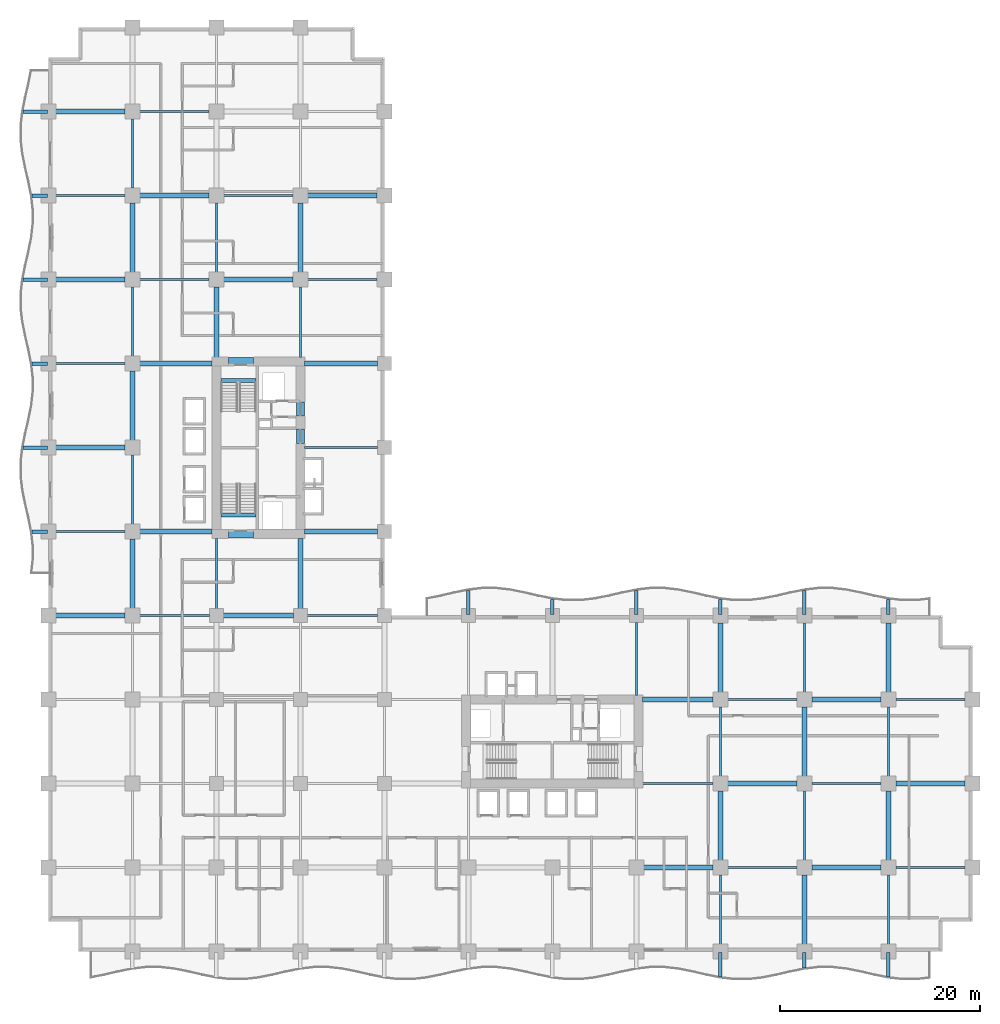
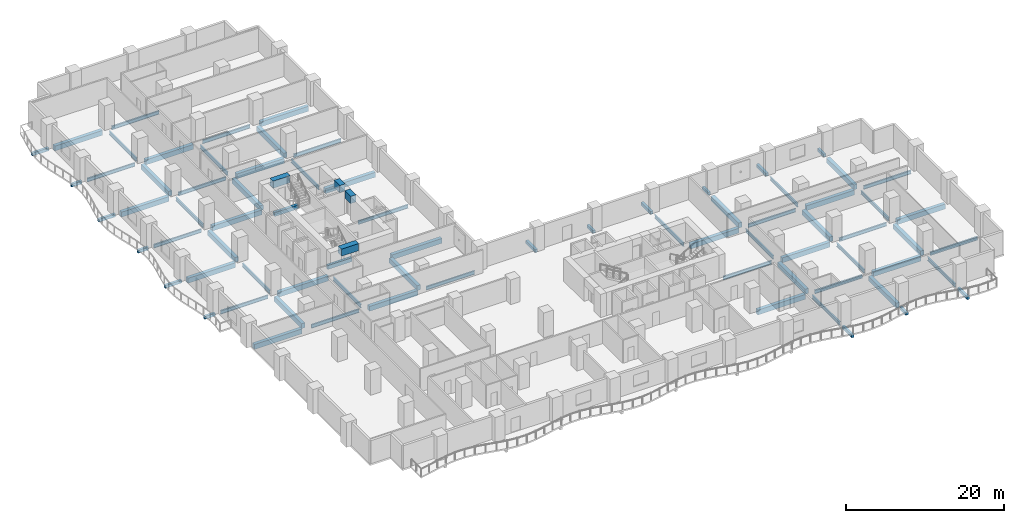
# One storey, part 2 of 20: 80 beams.
"""IFC4 building model written with IfcOpenShell, lengths in metres."""

import ifcopenshell
import ifcopenshell.guid

model = None  # the IFC model being written
_history = None  # IfcOwnerHistory: only IFC2X3 demands one
_inside = {}  # id of a spatial element -> (the spatial element, [elements in it])
_under = {}  # id of a project, library or spatial element -> (it, [spatial elements below it])
_declared = {}  # id of a project -> (the project, [libraries it declares])
_typed = {}  # id of a type object -> (the type object, [elements of that type])
_made_of = {}  # id of a material, layer set ... -> (it, [elements and type objects made of it])


def new_model(schema):
    """Start an empty IFC model of exactly this schema.

    Asked for "IFC4X3", IfcOpenShell would pick the latest addendum, in which some entities
    have other attributes; the version numbers below select the first issue.
    IFC2X3 requires an IfcOwnerHistory on every rooted entity: one is made here for all.
    """
    global model, _history
    if schema == "IFC4X3":
        model = ifcopenshell.file(schema_version=(4, 3, 0, 0))
    else:
        model = ifcopenshell.file(schema=schema)
    _inside.clear()
    _under.clear()
    _declared.clear()
    _typed.clear()
    _made_of.clear()
    _history = None
    if model.schema == "IFC2X3":
        org = make("IfcOrganization", Name="unknown")
        user = make(
            "IfcPersonAndOrganization",
            ThePerson=make("IfcPerson", FamilyName="unknown"),
            TheOrganization=org,
        )
        app = make(
            "IfcApplication",
            ApplicationDeveloper=org,
            Version="unknown",
            ApplicationFullName="unknown",
            ApplicationIdentifier="unknown",
        )
        _history = make(
            "IfcOwnerHistory",
            OwningUser=user,
            OwningApplication=app,
            ChangeAction="ADDED",
            CreationDate=0,
        )
    return model


def make(cls, **values):
    """One entity of the class cls with the attributes given. An attribute that is None is left unset."""
    return model.create_entity(
        cls, **{name: value for name, value in values.items() if value is not None}
    )


def rooted(cls, **values):
    """An entity with a GlobalId (a new one), such as an element, a storey or a relation."""
    return make(cls, GlobalId=ifcopenshell.guid.new(), OwnerHistory=_history, **values)


def si_unit(unit_type, name, prefix=None):
    """IfcSIUnit, for example si_unit("LENGTHUNIT", "METRE", prefix="MILLI")."""
    return make("IfcSIUnit", UnitType=unit_type, Prefix=prefix, Name=name)


def assignment(units):
    """IfcUnitAssignment: the units of a project."""
    return None if units is None else make("IfcUnitAssignment", Units=units)


def point(xyz):
    """IfcCartesianPoint."""
    return None if xyz is None else make("IfcCartesianPoint", Coordinates=xyz)


def direction(xyz):
    """IfcDirection."""
    return None if xyz is None else make("IfcDirection", DirectionRatios=xyz)


def frame(location, z_axis=None, x_axis=None):
    """IfcAxis2Placement3D, a coordinate frame: its origin and axes. An axis left out is left unset."""
    return make(
        "IfcAxis2Placement3D",
        Location=point(location),
        Axis=direction(z_axis),
        RefDirection=direction(x_axis),
    )


def frame_2d(location, x_axis=None):
    """IfcAxis2Placement2D, a coordinate frame in the plane: its origin and x axis."""
    return make(
        "IfcAxis2Placement2D", Location=point(location), RefDirection=direction(x_axis)
    )


def origin():
    """The frame at (0, 0, 0) with its axes left unset."""
    return frame((0.0, 0.0, 0.0))


def origin_2d():
    """The frame at (0, 0) in the plane with its x axis left unset."""
    return frame_2d((0.0, 0.0))


def place(relative_to, where):
    """IfcLocalPlacement: puts the frame where relative to a parent placement (None: the world)."""
    return make(
        "IfcLocalPlacement", PlacementRelTo=relative_to, RelativePlacement=where
    )


def context(
    kind, dimensions, precision=None, world=None, true_north=None, identifier=None
):
    """IfcGeometricRepresentationContext, for example the 3D "Model" context."""
    return make(
        "IfcGeometricRepresentationContext",
        ContextIdentifier=identifier,
        ContextType=kind,
        CoordinateSpaceDimension=dimensions,
        Precision=precision,
        WorldCoordinateSystem=world,
        TrueNorth=true_north,
    )


def subcontext(parent, identifier, kind, view, scale=None):
    """IfcGeometricRepresentationSubContext, for example "Body" below "Model"."""
    return make(
        "IfcGeometricRepresentationSubContext",
        ContextIdentifier=identifier,
        ContextType=kind,
        ParentContext=parent,
        TargetScale=scale,
        TargetView=view,
    )


def project(units=None, contexts=None):
    """IfcProject with its units and contexts."""
    return rooted(
        "IfcProject",
        Name="project",
        RepresentationContexts=contexts,
        UnitsInContext=assignment(units),
    )


def spatial(cls, under=None, at=None, **own):
    """A site, building, storey or space (cls), placed at a placement, below another one or the project."""
    s = rooted(cls, ObjectPlacement=at, **own)
    if under is not None:
        _under.setdefault(under.id(), (under, []))[1].append(s)
    return s


def profile(cls, at=None, kind="AREA", **sizes):
    """A parametric profile (cls). Its sizes go by their IFC names, for example OverallWidth=200.0."""
    return make(cls, ProfileType=kind, Position=at, **sizes)


def rectangle(**sizes):
    """IfcRectangleProfileDef."""
    return profile("IfcRectangleProfileDef", **sizes)


def i_section(**sizes):
    """IfcIShapeProfileDef."""
    return profile("IfcIShapeProfileDef", **sizes)


def extrude(swept, where, along, depth):
    """IfcExtrudedAreaSolid: the profile swept, set in the frame where, extruded along a direction by depth."""
    return make(
        "IfcExtrudedAreaSolid",
        SweptArea=swept,
        Position=where,
        ExtrudedDirection=direction(along),
        Depth=depth,
    )


def shape(context_of_items, identifier, shape_type, items):
    """IfcShapeRepresentation: the items that make up one representation, for example the "Body"."""
    return make(
        "IfcShapeRepresentation",
        ContextOfItems=context_of_items,
        RepresentationIdentifier=identifier,
        RepresentationType=shape_type,
        Items=items,
    )


def material(Name=None, Category=None):
    """IfcMaterial."""
    return make("IfcMaterial", Name=Name, Category=Category)


def material_profile(
    of_material, cross_section, Name=None, Category=None, Priority=None
):
    """IfcMaterialProfile: a cross section and its material."""
    return make(
        "IfcMaterialProfile",
        Name=Name,
        Material=of_material,
        Profile=cross_section,
        Priority=Priority,
        Category=Category,
    )


def profile_set(profiles, Name=None, composite=None):
    """IfcMaterialProfileSet."""
    return make(
        "IfcMaterialProfileSet",
        Name=Name,
        MaterialProfiles=profiles,
        CompositeProfile=composite,
    )


def made_of(thing, what):
    """Note that an element or type object is made of a material, layer set ...; save() writes the relation."""
    if what is not None:
        _made_of.setdefault(what.id(), (what, []))[1].append(thing)
    return thing


def type_object(cls, material=None, **own):
    """A type object (cls), such as IfcWallType, which elements share."""
    return made_of(rooted(cls, **own), material)


def element(
    cls,
    number,
    at=None,
    inside=None,
    cuts=None,
    type_object=None,
    material=None,
    context=None,
    identifier="Body",
    shape_type=None,
    held_by="IfcProductDefinitionShape",
    body=None,
    shapes=None,
    **own,
):
    """One element of the class cls, such as IfcWall. Its Tag is "e" and its number.

    at: its placement. inside: the storey or other place that contains it. cuts: it is an
    opening in that element (IfcRelVoidsElement). A single representation is given by context,
    identifier, shape_type and body (its items); several are given by shapes. held_by: the class
    of the entity that holds the representations. save() writes the other relations.
    """
    e = rooted(cls, Tag="e%d" % number, ObjectPlacement=at, **own)
    if body is not None:
        shapes = [shape(context, identifier, shape_type, body)]
    if shapes is not None:
        e.Representation = make(held_by, Representations=shapes)
    if inside is not None:
        _inside.setdefault(inside.id(), (inside, []))[1].append(e)
    if cuts is not None:
        rooted(
            "IfcRelVoidsElement", RelatingBuildingElement=cuts, RelatedOpeningElement=e
        )
    if type_object is not None:
        _typed.setdefault(type_object.id(), (type_object, []))[1].append(e)
    return made_of(e, material)


def aggregate(whole, parts):
    """IfcRelAggregates: a whole, such as a stair, and the parts it consists of."""
    return rooted("IfcRelAggregates", RelatingObject=whole, RelatedObjects=parts)


def save(model, path):
    """Write the relations noted so far, then the file.

    IfcRelAggregates (storeys below a building ...), IfcRelContainedInSpatialStructure (elements
    in a storey), IfcRelDefinesByType, IfcRelAssociatesMaterial and IfcRelDeclares: one each for
    every whole, place, type object, material and project.
    """
    for whole, parts in _under.values():
        aggregate(whole, parts)
    for where, things in _inside.values():
        rooted(
            "IfcRelContainedInSpatialStructure",
            RelatedElements=things,
            RelatingStructure=where,
        )
    for kind, things in _typed.values():
        rooted("IfcRelDefinesByType", RelatedObjects=things, RelatingType=kind)
    for what, things in _made_of.values():
        rooted("IfcRelAssociatesMaterial", RelatedObjects=things, RelatingMaterial=what)
    for by, libraries in _declared.values():
        rooted("IfcRelDeclares", RelatingContext=by, RelatedDefinitions=libraries)
    model.write(path)


model = new_model("IFC4")

# Units and contexts
model_context = context("Model", 3, precision=1e-05, world=origin(), true_north=direction((0.0, 1.0)))
body_context = subcontext(model_context, "Body", "Model", "MODEL_VIEW")
ifc_project = project(units=[si_unit("LENGTHUNIT", "METRE"), si_unit("AREAUNIT", "SQUARE_METRE"), si_unit("VOLUMEUNIT", "CUBIC_METRE"), si_unit("PLANEANGLEUNIT", "RADIAN"), si_unit("MASSUNIT", "GRAM", prefix="KILO")], contexts=[model_context])

# Site, building, storey
site_placement = place(None, origin())
site = spatial("IfcSite", under=ifc_project, at=site_placement, CompositionType="ELEMENT")
building_placement = place(site_placement, origin())
building = spatial("IfcBuilding", under=site, at=building_placement, Name="Koriwani Terraces Tower", CompositionType="ELEMENT")
storey_placement = place(building_placement, frame((0.0, 0.0, 58.60009765625)))
storey = spatial("IfcBuildingStorey", under=building, at=storey_placement, Name="L13", CompositionType="ELEMENT", Elevation=58.60009765625)

# Beams
ifc_material_1 = material(Name="Concrete C40/50", Category="concrete")
ifc_material_profile_1 = material_profile(ifc_material_1, rectangle(XDim=0.35009765625, YDim=0.449951171875, at=origin_2d()), Name="Concrete C40/50", Category="LoadBearing")
ifc_profile_set_1 = profile_set([ifc_material_profile_1], Name="Concrete C40/50")
beam_type_1 = type_object("IfcBeamType", Name="BEAM_RC_BALCONY_RIB_350X450", PredefinedType="JOIST", material=ifc_profile_set_1)
beam_1_placement = place(storey_placement, frame((67.199951171875, -2.516845703125, -0.47509765625), z_axis=(0.0, 1.0, 0.0), x_axis=(-1.0, 0.0, 0.0)))
element("IfcBeam", 1, at=beam_1_placement, inside=storey, type_object=beam_type_1, Name="L13 Balcony Bracket Rib S-8", PredefinedType="JOIST", context=body_context, shape_type="SweptSolid", body=[
    extrude(rectangle(XDim=0.35009765625, YDim=0.449951171875, at=origin_2d()), origin(), (0.0, 0.0, 1.0), 2.416748046875),
])
beam_2_placement = place(storey_placement, frame((75.60009765625, -1.633056640625, -0.47509765625), z_axis=(0.0, 1.0, 0.0), x_axis=(-1.0, 0.0, 0.0)))
element("IfcBeam", 2, at=beam_2_placement, inside=storey, type_object=beam_type_1, Name="L13 Balcony Bracket Rib S-9", PredefinedType="JOIST", context=body_context, shape_type="SweptSolid", body=[
    extrude(rectangle(XDim=0.35009765625, YDim=0.449951171875, at=origin_2d()), origin(), (0.0, 0.0, 1.0), 1.532958984375),
])
beam_3_placement = place(storey_placement, frame((84.0, -2.516845703125, -0.47509765625), z_axis=(0.0, 1.0, 0.0), x_axis=(-1.0, 0.0, 0.0)))
element("IfcBeam", 3, at=beam_3_placement, inside=storey, type_object=beam_type_1, Name="L13 Balcony Bracket Rib S-10", PredefinedType="JOIST", context=body_context, shape_type="SweptSolid", body=[
    extrude(rectangle(XDim=0.35009765625, YDim=0.449951171875, at=origin_2d()), origin(), (0.0, 0.0, 1.0), 2.416748046875),
])
beam_4_placement = place(storey_placement, frame((-1.633056640625, 42.0, -0.47509765625), z_axis=(1.0, 0.0, 0.0), x_axis=(0.0, 1.0, 0.0)))
element("IfcBeam", 4, at=beam_4_placement, inside=storey, type_object=beam_type_1, Name="L13 Balcony Bracket Rib W-1", PredefinedType="JOIST", context=body_context, shape_type="SweptSolid", body=[
    extrude(rectangle(XDim=0.35009765625, YDim=0.449951171875, at=origin_2d()), origin(), (0.0, 0.0, 1.0), 1.532958984375),
])
beam_5_placement = place(storey_placement, frame((-2.516845703125, 50.39990234375, -0.47509765625), z_axis=(1.0, 0.0, 0.0), x_axis=(0.0, 1.0, 0.0)))
element("IfcBeam", 5, at=beam_5_placement, inside=storey, type_object=beam_type_1, Name="L13 Balcony Bracket Rib W-2", PredefinedType="JOIST", context=body_context, shape_type="SweptSolid", body=[
    extrude(rectangle(XDim=0.35009765625, YDim=0.449951171875, at=origin_2d()), origin(), (0.0, 0.0, 1.0), 2.416748046875),
])
beam_6_placement = place(storey_placement, frame((-1.633056640625, 58.800048828125, -0.47509765625), z_axis=(1.0, 0.0, 0.0), x_axis=(0.0, 1.0, 0.0)))
element("IfcBeam", 6, at=beam_6_placement, inside=storey, type_object=beam_type_1, Name="L13 Balcony Bracket Rib W-3", PredefinedType="JOIST", context=body_context, shape_type="SweptSolid", body=[
    extrude(rectangle(XDim=0.35009765625, YDim=0.449951171875, at=origin_2d()), origin(), (0.0, 0.0, 1.0), 1.532958984375),
])
beam_7_placement = place(storey_placement, frame((-2.516845703125, 67.199951171875, -0.47509765625), z_axis=(1.0, 0.0, 0.0), x_axis=(0.0, 1.0, 0.0)))
element("IfcBeam", 7, at=beam_7_placement, inside=storey, type_object=beam_type_1, Name="L13 Balcony Bracket Rib W-4", PredefinedType="JOIST", context=body_context, shape_type="SweptSolid", body=[
    extrude(rectangle(XDim=0.35009765625, YDim=0.449951171875, at=origin_2d()), origin(), (0.0, 0.0, 1.0), 2.416748046875),
])
beam_8_placement = place(storey_placement, frame((-1.633056640625, 75.60009765625, -0.47509765625), z_axis=(1.0, 0.0, 0.0), x_axis=(0.0, 1.0, 0.0)))
element("IfcBeam", 8, at=beam_8_placement, inside=storey, type_object=beam_type_1, Name="L13 Balcony Bracket Rib W-5", PredefinedType="JOIST", context=body_context, shape_type="SweptSolid", body=[
    extrude(rectangle(XDim=0.35009765625, YDim=0.449951171875, at=origin_2d()), origin(), (0.0, 0.0, 1.0), 1.532958984375),
])
beam_9_placement = place(storey_placement, frame((-2.516845703125, 84.0, -0.47509765625), z_axis=(1.0, 0.0, 0.0), x_axis=(0.0, 1.0, 0.0)))
element("IfcBeam", 9, at=beam_9_placement, inside=storey, type_object=beam_type_1, Name="L13 Balcony Bracket Rib W-6", PredefinedType="JOIST", context=body_context, shape_type="SweptSolid", body=[
    extrude(rectangle(XDim=0.35009765625, YDim=0.449951171875, at=origin_2d()), origin(), (0.0, 0.0, 1.0), 2.416748046875),
])
beam_10_placement = place(storey_placement, frame((42.0, 33.699951171875, -0.47509765625), z_axis=(0.0, 1.0, 0.0), x_axis=(-1.0, 0.0, 0.0)))
element("IfcBeam", 10, at=beam_10_placement, inside=storey, type_object=beam_type_1, Name="L13 Balcony Bracket Rib NE-1", PredefinedType="JOIST", context=body_context, shape_type="SweptSolid", body=[
    extrude(rectangle(XDim=0.35009765625, YDim=0.449951171875, at=origin_2d()), origin(), (0.0, 0.0, 1.0), 2.4169921875),
])
beam_11_placement = place(storey_placement, frame((50.39990234375, 33.699951171875, -0.47509765625), z_axis=(0.0, 1.0, 0.0), x_axis=(-1.0, 0.0, 0.0)))
element("IfcBeam", 11, at=beam_11_placement, inside=storey, type_object=beam_type_1, Name="L13 Balcony Bracket Rib NE-2", PredefinedType="JOIST", context=body_context, shape_type="SweptSolid", body=[
    extrude(rectangle(XDim=0.35009765625, YDim=0.449951171875, at=origin_2d()), origin(), (0.0, 0.0, 1.0), 1.533203125),
])
beam_12_placement = place(storey_placement, frame((58.800048828125, 33.699951171875, -0.47509765625), z_axis=(0.0, 1.0, 0.0), x_axis=(-1.0, 0.0, 0.0)))
element("IfcBeam", 12, at=beam_12_placement, inside=storey, type_object=beam_type_1, Name="L13 Balcony Bracket Rib NE-3", PredefinedType="JOIST", context=body_context, shape_type="SweptSolid", body=[
    extrude(rectangle(XDim=0.35009765625, YDim=0.449951171875, at=origin_2d()), origin(), (0.0, 0.0, 1.0), 2.4169921875),
])
beam_13_placement = place(storey_placement, frame((67.199951171875, 33.699951171875, -0.47509765625), z_axis=(0.0, 1.0, 0.0), x_axis=(-1.0, 0.0, 0.0)))
element("IfcBeam", 13, at=beam_13_placement, inside=storey, type_object=beam_type_1, Name="L13 Balcony Bracket Rib NE-4", PredefinedType="JOIST", context=body_context, shape_type="SweptSolid", body=[
    extrude(rectangle(XDim=0.35009765625, YDim=0.449951171875, at=origin_2d()), origin(), (0.0, 0.0, 1.0), 1.533203125),
])
beam_14_placement = place(storey_placement, frame((75.60009765625, 33.699951171875, -0.47509765625), z_axis=(0.0, 1.0, 0.0), x_axis=(-1.0, 0.0, 0.0)))
element("IfcBeam", 14, at=beam_14_placement, inside=storey, type_object=beam_type_1, Name="L13 Balcony Bracket Rib NE-5", PredefinedType="JOIST", context=body_context, shape_type="SweptSolid", body=[
    extrude(rectangle(XDim=0.35009765625, YDim=0.449951171875, at=origin_2d()), origin(), (0.0, 0.0, 1.0), 2.4169921875),
])
beam_15_placement = place(storey_placement, frame((84.0, 33.699951171875, -0.47509765625), z_axis=(0.0, 1.0, 0.0), x_axis=(-1.0, 0.0, 0.0)))
element("IfcBeam", 15, at=beam_15_placement, inside=storey, type_object=beam_type_1, Name="L13 Balcony Bracket Rib NE-6", PredefinedType="JOIST", context=body_context, shape_type="SweptSolid", body=[
    extrude(rectangle(XDim=0.35009765625, YDim=0.449951171875, at=origin_2d()), origin(), (0.0, 0.0, 1.0), 1.533203125),
])
ifc_material_2 = material(Name="Concrete C60/75", Category="concrete")
ifc_material_profile_2 = material_profile(ifc_material_2, rectangle(XDim=0.800048828125, YDim=1.10009765625, at=origin_2d()), Name="Concrete C60/75", Category="LoadBearing")
ifc_profile_set_2 = profile_set([ifc_material_profile_2], Name="Concrete C60/75")
beam_type_2 = type_object("IfcBeamType", Name="BEAM_RC_COUPLING_800X1100", PredefinedType="LINTEL", material=ifc_profile_set_2)
beam_16_placement = place(storey_placement, frame((25.199951171875, 50.800048828125, 3.0), z_axis=(0.0, 1.0, 0.0), x_axis=(-1.0, 0.0, 0.0)))
element("IfcBeam", 16, at=beam_16_placement, inside=storey, type_object=beam_type_2, Name="L13 Core Coupling Lintel Beam WE1", PredefinedType="LINTEL", context=body_context, shape_type="SweptSolid", body=[
    extrude(rectangle(XDim=0.800048828125, YDim=1.10009765625, at=origin_2d()), origin(), (0.0, 0.0, 1.0), 1.47998046875),
])
beam_17_placement = place(storey_placement, frame((25.199951171875, 53.550048828125, 3.0), z_axis=(0.0, 1.0, 0.0), x_axis=(-1.0, 0.0, 0.0)))
element("IfcBeam", 17, at=beam_17_placement, inside=storey, type_object=beam_type_2, Name="L13 Core Coupling Lintel Beam WE2", PredefinedType="LINTEL", context=body_context, shape_type="SweptSolid", body=[
    extrude(rectangle(XDim=0.800048828125, YDim=1.10009765625, at=origin_2d()), origin(), (0.0, 0.0, 1.0), 1.39990234375),
])
for number, where, z_axis, x_axis, name in (
    (18, (18.0, 41.75, 3.0), (1.0, 0.0, 0.0), (0.0, 1.0, 0.0), "L13 Core Coupling Lintel Beam WS"),
    (19, (18.0, 59.0, 3.0), (1.0, 0.0, 0.0), (0.0, 1.0, 0.0), "L13 Core Coupling Lintel Beam WN"),
):
    element("IfcBeam", number, at=place(storey_placement, frame(where, z_axis=z_axis, x_axis=x_axis)), inside=storey, type_object=beam_type_2, Name=name, PredefinedType="LINTEL", context=body_context, shape_type="SweptSolid", body=[
        extrude(rectangle(XDim=0.800048828125, YDim=1.10009765625, at=origin_2d()), origin(), (0.0, 0.0, 1.0), 2.5),
    ])
ifc_material_profile_3 = material_profile(ifc_material_1, rectangle(XDim=0.39990234375, YDim=0.60009765625, at=origin_2d()), Name="Concrete C40/50", Category="LoadBearing")
ifc_profile_set_3 = profile_set([ifc_material_profile_3], Name="Concrete C40/50")
beam_type_3 = type_object("IfcBeamType", Name="BEAM_RC_GRID_400X600", PredefinedType="BEAM", material=ifc_profile_set_3)
for number, where, z_axis, x_axis, name in (
    (20, (17.25, 43.655029296875, -0.300048828125), (1.0, 0.0, 0.0), (0.0, 1.0, 0.0), "L13 Stairwell Header Trimmer Beam ST-W1"),
    (21, (17.25, 57.094970703125, -0.300048828125), (1.0, 0.0, 0.0), (0.0, 1.0, 0.0), "L13 Stairwell Header Trimmer Beam ST-W2"),
):
    element("IfcBeam", number, at=place(storey_placement, frame(where, z_axis=z_axis, x_axis=x_axis)), inside=storey, type_object=beam_type_3, Name=name, PredefinedType="BEAM", context=body_context, shape_type="SweptSolid", body=[
        extrude(rectangle(XDim=0.39990234375, YDim=0.60009765625, at=origin_2d()), origin(), (0.0, 0.0, 1.0), 3.5),
    ])
ifc_material_3 = material(Name="Concrete C50/60", Category="concrete")
ifc_material_profile_4 = material_profile(ifc_material_3, rectangle(XDim=0.5, YDim=0.75, at=origin_2d()), Name="Concrete C50/60", Category="LoadBearing")
ifc_profile_set_4 = profile_set([ifc_material_profile_4], Name="Concrete C50/60")
beam_type_4 = type_object("IfcBeamType", Name="BEAM_RC_GRID_500X750", PredefinedType="BEAM", material=ifc_profile_set_4)
for number, where, z_axis, x_axis, name in (
    (22, (59.530029296875, 8.39990234375, -0.625), (1.0, 0.0, 0.0), (0.0, 1.0, 0.0), "L13 Grid Beam B (58.8-67.2m)"),
    (23, (76.330078125, 8.39990234375, -0.625), (1.0, 0.0, 0.0), (0.0, 1.0, 0.0), "L13 Grid Beam B (75.6-84.0m)"),
):
    element("IfcBeam", number, at=place(storey_placement, frame(where, z_axis=z_axis, x_axis=x_axis)), inside=storey, type_object=beam_type_4, Name=name, PredefinedType="BEAM", context=body_context, shape_type="SweptSolid", body=[
        extrude(rectangle(XDim=0.5, YDim=0.75, at=origin_2d()), origin(), (0.0, 0.0, 1.0), 6.93994140625),
    ])
beam_18_placement = place(storey_placement, frame((67.929931640625, 16.800048828125, -0.625), z_axis=(1.0, 0.0, 0.0), x_axis=(0.0, 1.0, 0.0)))
element("IfcBeam", 24, at=beam_18_placement, inside=storey, type_object=beam_type_4, Name="L13 Grid Beam C (67.2-75.6m)", PredefinedType="BEAM", context=body_context, shape_type="SweptSolid", body=[
    extrude(rectangle(XDim=0.5, YDim=0.75, at=origin_2d()), origin(), (0.0, 0.0, 1.0), 6.940185546875),
])
beam_19_placement = place(storey_placement, frame((84.72998046875, 16.800048828125, -0.625), z_axis=(1.0, 0.0, 0.0), x_axis=(0.0, 1.0, 0.0)))
element("IfcBeam", 25, at=beam_19_placement, inside=storey, type_object=beam_type_4, Name="L13 Grid Beam C (84.0-92.4m)", PredefinedType="BEAM", context=body_context, shape_type="SweptSolid", body=[
    extrude(rectangle(XDim=0.5, YDim=0.75, at=origin_2d()), origin(), (0.0, 0.0, 1.0), 6.93994140625),
])
beam_20_placement = place(storey_placement, frame((59.429931640625, 25.199951171875, -0.625), z_axis=(1.0, 0.0, 0.0), x_axis=(0.0, 1.0, 0.0)))
element("IfcBeam", 26, at=beam_20_placement, inside=storey, type_object=beam_type_4, Name="L13 Grid Beam D (58.8-67.2m)", PredefinedType="BEAM", context=body_context, shape_type="SweptSolid", body=[
    extrude(rectangle(XDim=0.5, YDim=0.75, at=origin_2d()), origin(), (0.0, 0.0, 1.0), 7.0400390625),
])
for number, where, z_axis, x_axis, name in (
    (27, (76.330078125, 25.199951171875, -0.625), (1.0, 0.0, 0.0), (0.0, 1.0, 0.0), "L13 Grid Beam D (75.6-84.0m)"),
    (28, (0.72998046875, 33.60009765625, -0.625), (1.0, 0.0, 0.0), (0.0, 1.0, 0.0), "L13 Grid Beam E (0.0-8.4m)"),
):
    element("IfcBeam", number, at=place(storey_placement, frame(where, z_axis=z_axis, x_axis=x_axis)), inside=storey, type_object=beam_type_4, Name=name, PredefinedType="BEAM", context=body_context, shape_type="SweptSolid", body=[
        extrude(rectangle(XDim=0.5, YDim=0.75, at=origin_2d()), origin(), (0.0, 0.0, 1.0), 6.93994140625),
    ])
beam_21_placement = place(storey_placement, frame((17.47998046875, 33.60009765625, -0.625), z_axis=(1.0, 0.0, 0.0), x_axis=(0.0, 1.0, 0.0)))
element("IfcBeam", 29, at=beam_21_placement, inside=storey, type_object=beam_type_4, Name="L13 Grid Beam E (16.8-25.2m)", PredefinedType="BEAM", context=body_context, shape_type="SweptSolid", body=[
    extrude(rectangle(XDim=0.5, YDim=0.75, at=origin_2d()), origin(), (0.0, 0.0, 1.0), 7.0400390625),
])
beam_22_placement = place(storey_placement, frame((9.1298828125, 42.0, -0.625), z_axis=(1.0, 0.0, 0.0), x_axis=(0.0, 1.0, 0.0)))
element("IfcBeam", 30, at=beam_22_placement, inside=storey, type_object=beam_type_4, Name="L13 Grid Beam F (8.4-16.8m)", PredefinedType="BEAM", context=body_context, shape_type="SweptSolid", body=[
    extrude(rectangle(XDim=0.5, YDim=0.75, at=origin_2d()), origin(), (0.0, 0.0, 1.0), 7.240234375),
])
beam_23_placement = place(storey_placement, frame((25.6298828125, 42.0, -0.625), z_axis=(1.0, 0.0, 0.0), x_axis=(0.0, 1.0, 0.0)))
element("IfcBeam", 31, at=beam_23_placement, inside=storey, type_object=beam_type_4, Name="L13 Grid Beam F (25.2-33.6m)", PredefinedType="BEAM", context=body_context, shape_type="SweptSolid", body=[
    extrude(rectangle(XDim=0.5, YDim=0.75, at=origin_2d()), origin(), (0.0, 0.0, 1.0), 7.2900390625),
])
beam_24_placement = place(storey_placement, frame((0.72998046875, 50.39990234375, -0.625), z_axis=(1.0, 0.0, 0.0), x_axis=(0.0, 1.0, 0.0)))
element("IfcBeam", 32, at=beam_24_placement, inside=storey, type_object=beam_type_4, Name="L13 Grid Beam G (0.0-8.4m)", PredefinedType="BEAM", context=body_context, shape_type="SweptSolid", body=[
    extrude(rectangle(XDim=0.5, YDim=0.75, at=origin_2d()), origin(), (0.0, 0.0, 1.0), 6.93994140625),
])
beam_25_placement = place(storey_placement, frame((9.1298828125, 58.800048828125, -0.625), z_axis=(1.0, 0.0, 0.0), x_axis=(0.0, 1.0, 0.0)))
element("IfcBeam", 33, at=beam_25_placement, inside=storey, type_object=beam_type_4, Name="L13 Grid Beam H (8.4-16.8m)", PredefinedType="BEAM", context=body_context, shape_type="SweptSolid", body=[
    extrude(rectangle(XDim=0.5, YDim=0.75, at=origin_2d()), origin(), (0.0, 0.0, 1.0), 7.240234375),
])
beam_26_placement = place(storey_placement, frame((25.6298828125, 58.800048828125, -0.625), z_axis=(1.0, 0.0, 0.0), x_axis=(0.0, 1.0, 0.0)))
element("IfcBeam", 34, at=beam_26_placement, inside=storey, type_object=beam_type_4, Name="L13 Grid Beam H (25.2-33.6m)", PredefinedType="BEAM", context=body_context, shape_type="SweptSolid", body=[
    extrude(rectangle(XDim=0.5, YDim=0.75, at=origin_2d()), origin(), (0.0, 0.0, 1.0), 7.2900390625),
])
for number, where, z_axis, x_axis, name in (
    (35, (0.72998046875, 67.199951171875, -0.625), (1.0, 0.0, 0.0), (0.0, 1.0, 0.0), "L13 Grid Beam I (0.0-8.4m)"),
    (36, (17.530029296875, 67.199951171875, -0.625), (1.0, 0.0, 0.0), (0.0, 1.0, 0.0), "L13 Grid Beam I (16.8-25.2m)"),
):
    element("IfcBeam", number, at=place(storey_placement, frame(where, z_axis=z_axis, x_axis=x_axis)), inside=storey, type_object=beam_type_4, Name=name, PredefinedType="BEAM", context=body_context, shape_type="SweptSolid", body=[
        extrude(rectangle(XDim=0.5, YDim=0.75, at=origin_2d()), origin(), (0.0, 0.0, 1.0), 6.93994140625),
    ])
for number, where, z_axis, x_axis, name in (
    (37, (9.1298828125, 75.60009765625, -0.625), (1.0, 0.0, 0.0), (0.0, 1.0, 0.0), "L13 Grid Beam J (8.4-16.8m)"),
    (38, (25.929931640625, 75.60009765625, -0.625), (1.0, 0.0, 0.0), (0.0, 1.0, 0.0), "L13 Grid Beam J (25.2-33.6m)"),
):
    element("IfcBeam", number, at=place(storey_placement, frame(where, z_axis=z_axis, x_axis=x_axis)), inside=storey, type_object=beam_type_4, Name=name, PredefinedType="BEAM", context=body_context, shape_type="SweptSolid", body=[
        extrude(rectangle(XDim=0.5, YDim=0.75, at=origin_2d()), origin(), (0.0, 0.0, 1.0), 6.940185546875),
    ])
for number, where, z_axis, x_axis, name in (
    (39, (0.72998046875, 84.0, -0.625), (1.0, 0.0, 0.0), (0.0, 1.0, 0.0), "L13 Grid Beam K (0.0-8.4m)"),
    (40, (8.39990234375, 34.330078125, -0.625), (0.0, 1.0, 0.0), (-1.0, 0.0, 0.0), "L13 Grid Beam 2 (33.6-42.0m)"),
):
    element("IfcBeam", number, at=place(storey_placement, frame(where, z_axis=z_axis, x_axis=x_axis)), inside=storey, type_object=beam_type_4, Name=name, PredefinedType="BEAM", context=body_context, shape_type="SweptSolid", body=[
        extrude(rectangle(XDim=0.5, YDim=0.75, at=origin_2d()), origin(), (0.0, 0.0, 1.0), 6.93994140625),
    ])
for number, where, z_axis, x_axis, name in (
    (41, (8.39990234375, 51.1298828125, -0.625), (0.0, 1.0, 0.0), (-1.0, 0.0, 0.0), "L13 Grid Beam 2 (50.4-58.8m)"),
    (42, (8.39990234375, 67.929931640625, -0.625), (0.0, 1.0, 0.0), (-1.0, 0.0, 0.0), "L13 Grid Beam 2 (67.2-75.6m)"),
):
    element("IfcBeam", number, at=place(storey_placement, frame(where, z_axis=z_axis, x_axis=x_axis)), inside=storey, type_object=beam_type_4, Name=name, PredefinedType="BEAM", context=body_context, shape_type="SweptSolid", body=[
        extrude(rectangle(XDim=0.5, YDim=0.75, at=origin_2d()), origin(), (0.0, 0.0, 1.0), 6.940185546875),
    ])
for number, where, z_axis, x_axis, name in (
    (43, (16.800048828125, 59.429931640625, -0.625), (0.0, 1.0, 0.0), (-1.0, 0.0, 0.0), "L13 Grid Beam 3 (58.8-67.2m)"),
    (44, (25.199951171875, 34.280029296875, -0.625), (0.0, 1.0, 0.0), (-1.0, 0.0, 0.0), "L13 Grid Beam 4 (33.6-42.0m)"),
):
    element("IfcBeam", number, at=place(storey_placement, frame(where, z_axis=z_axis, x_axis=x_axis)), inside=storey, type_object=beam_type_4, Name=name, PredefinedType="BEAM", context=body_context, shape_type="SweptSolid", body=[
        extrude(rectangle(XDim=0.5, YDim=0.75, at=origin_2d()), origin(), (0.0, 0.0, 1.0), 7.0400390625),
    ])
for number, where, z_axis, x_axis, name in (
    (45, (25.199951171875, 67.929931640625, -0.625), (0.0, 1.0, 0.0), (-1.0, 0.0, 0.0), "L13 Grid Beam 4 (67.2-75.6m)"),
    (46, (67.199951171875, 9.1298828125, -0.625), (0.0, 1.0, 0.0), (-1.0, 0.0, 0.0), "L13 Grid Beam 9 (8.4-16.8m)"),
    (47, (67.199951171875, 25.929931640625, -0.625), (0.0, 1.0, 0.0), (-1.0, 0.0, 0.0), "L13 Grid Beam 9 (25.2-33.6m)"),
):
    element("IfcBeam", number, at=place(storey_placement, frame(where, z_axis=z_axis, x_axis=x_axis)), inside=storey, type_object=beam_type_4, Name=name, PredefinedType="BEAM", context=body_context, shape_type="SweptSolid", body=[
        extrude(rectangle(XDim=0.5, YDim=0.75, at=origin_2d()), origin(), (0.0, 0.0, 1.0), 6.940185546875),
    ])
for number, where, z_axis, x_axis, name in (
    (48, (75.60009765625, 0.72998046875, -0.625), (0.0, 1.0, 0.0), (-1.0, 0.0, 0.0), "L13 Grid Beam 10 (0.0-8.4m)"),
    (49, (75.60009765625, 17.530029296875, -0.625), (0.0, 1.0, 0.0), (-1.0, 0.0, 0.0), "L13 Grid Beam 10 (16.8-25.2m)"),
):
    element("IfcBeam", number, at=place(storey_placement, frame(where, z_axis=z_axis, x_axis=x_axis)), inside=storey, type_object=beam_type_4, Name=name, PredefinedType="BEAM", context=body_context, shape_type="SweptSolid", body=[
        extrude(rectangle(XDim=0.5, YDim=0.75, at=origin_2d()), origin(), (0.0, 0.0, 1.0), 6.93994140625),
    ])
for number, where, z_axis, x_axis, name in (
    (50, (84.0, 9.1298828125, -0.625), (0.0, 1.0, 0.0), (-1.0, 0.0, 0.0), "L13 Grid Beam 11 (8.4-16.8m)"),
    (51, (84.0, 25.929931640625, -0.625), (0.0, 1.0, 0.0), (-1.0, 0.0, 0.0), "L13 Grid Beam 11 (25.2-33.6m)"),
):
    element("IfcBeam", number, at=place(storey_placement, frame(where, z_axis=z_axis, x_axis=x_axis)), inside=storey, type_object=beam_type_4, Name=name, PredefinedType="BEAM", context=body_context, shape_type="SweptSolid", body=[
        extrude(rectangle(XDim=0.5, YDim=0.75, at=origin_2d()), origin(), (0.0, 0.0, 1.0), 6.940185546875),
    ])
ifc_material_4 = material(Name="Steel ASTM A572 Grade 50", Category="steel")
ifc_material_profile_5 = material_profile(ifc_material_4, i_section(OverallWidth=0.2109375, OverallDepth=0.5390625, WebThickness=0.01171875, FlangeThickness=0.018798828125, at=origin_2d()), Name="Steel ASTM A572 Grade 50", Category="LoadBearing")
ifc_profile_set_5 = profile_set([ifc_material_profile_5], Name="Steel ASTM A572 Grade 50")
beam_type_5 = type_object("IfcBeamType", Name="STEEL_BEAM_W530X109", PredefinedType="BEAM", material=ifc_profile_set_5)
beam_27_placement = place(storey_placement, frame((67.929931640625, 8.39990234375, -0.51953125), z_axis=(1.0, 0.0, 0.0), x_axis=(0.0, 1.0, 0.0)))
element("IfcBeam", 52, at=beam_27_placement, inside=storey, type_object=beam_type_5, Name="L13 Grid Beam B (67.2-75.6m)", PredefinedType="BEAM", context=body_context, shape_type="SweptSolid", body=[
    extrude(i_section(OverallWidth=0.2109375, OverallDepth=0.5390625, WebThickness=0.01171875, FlangeThickness=0.018798828125, at=origin_2d()), origin(), (0.0, 0.0, 1.0), 6.940185546875),
])
beam_28_placement = place(storey_placement, frame((84.72998046875, 8.39990234375, -0.51953125), z_axis=(1.0, 0.0, 0.0), x_axis=(0.0, 1.0, 0.0)))
element("IfcBeam", 53, at=beam_28_placement, inside=storey, type_object=beam_type_5, Name="L13 Grid Beam B (84.0-92.4m)", PredefinedType="BEAM", context=body_context, shape_type="SweptSolid", body=[
    extrude(i_section(OverallWidth=0.2109375, OverallDepth=0.5390625, WebThickness=0.01171875, FlangeThickness=0.018798828125, at=origin_2d()), origin(), (0.0, 0.0, 1.0), 6.93994140625),
])
beam_29_placement = place(storey_placement, frame((59.429931640625, 16.800048828125, -0.51953125), z_axis=(1.0, 0.0, 0.0), x_axis=(0.0, 1.0, 0.0)))
element("IfcBeam", 54, at=beam_29_placement, inside=storey, type_object=beam_type_5, Name="L13 Grid Beam C (58.8-67.2m)", PredefinedType="BEAM", context=body_context, shape_type="SweptSolid", body=[
    extrude(i_section(OverallWidth=0.2109375, OverallDepth=0.5390625, WebThickness=0.01171875, FlangeThickness=0.018798828125, at=origin_2d()), origin(), (0.0, 0.0, 1.0), 7.0400390625),
])
beam_30_placement = place(storey_placement, frame((76.330078125, 16.800048828125, -0.51953125), z_axis=(1.0, 0.0, 0.0), x_axis=(0.0, 1.0, 0.0)))
element("IfcBeam", 55, at=beam_30_placement, inside=storey, type_object=beam_type_5, Name="L13 Grid Beam C (75.6-84.0m)", PredefinedType="BEAM", context=body_context, shape_type="SweptSolid", body=[
    extrude(i_section(OverallWidth=0.2109375, OverallDepth=0.5390625, WebThickness=0.01171875, FlangeThickness=0.018798828125, at=origin_2d()), origin(), (0.0, 0.0, 1.0), 6.93994140625),
])
beam_31_placement = place(storey_placement, frame((67.929931640625, 25.199951171875, -0.51953125), z_axis=(1.0, 0.0, 0.0), x_axis=(0.0, 1.0, 0.0)))
element("IfcBeam", 56, at=beam_31_placement, inside=storey, type_object=beam_type_5, Name="L13 Grid Beam D (67.2-75.6m)", PredefinedType="BEAM", context=body_context, shape_type="SweptSolid", body=[
    extrude(i_section(OverallWidth=0.2109375, OverallDepth=0.5390625, WebThickness=0.01171875, FlangeThickness=0.018798828125, at=origin_2d()), origin(), (0.0, 0.0, 1.0), 6.940185546875),
])
beam_32_placement = place(storey_placement, frame((84.72998046875, 25.199951171875, -0.51953125), z_axis=(1.0, 0.0, 0.0), x_axis=(0.0, 1.0, 0.0)))
element("IfcBeam", 57, at=beam_32_placement, inside=storey, type_object=beam_type_5, Name="L13 Grid Beam D (84.0-92.4m)", PredefinedType="BEAM", context=body_context, shape_type="SweptSolid", body=[
    extrude(i_section(OverallWidth=0.2109375, OverallDepth=0.5390625, WebThickness=0.01171875, FlangeThickness=0.018798828125, at=origin_2d()), origin(), (0.0, 0.0, 1.0), 6.93994140625),
])
beam_33_placement = place(storey_placement, frame((9.1298828125, 33.60009765625, -0.51953125), z_axis=(1.0, 0.0, 0.0), x_axis=(0.0, 1.0, 0.0)))
element("IfcBeam", 58, at=beam_33_placement, inside=storey, type_object=beam_type_5, Name="L13 Grid Beam E (8.4-16.8m)", PredefinedType="BEAM", context=body_context, shape_type="SweptSolid", body=[
    extrude(i_section(OverallWidth=0.2109375, OverallDepth=0.5390625, WebThickness=0.01171875, FlangeThickness=0.018798828125, at=origin_2d()), origin(), (0.0, 0.0, 1.0), 6.990234375),
])
beam_34_placement = place(storey_placement, frame((25.8798828125, 33.60009765625, -0.51953125), z_axis=(1.0, 0.0, 0.0), x_axis=(0.0, 1.0, 0.0)))
element("IfcBeam", 59, at=beam_34_placement, inside=storey, type_object=beam_type_5, Name="L13 Grid Beam E (25.2-33.6m)", PredefinedType="BEAM", context=body_context, shape_type="SweptSolid", body=[
    extrude(i_section(OverallWidth=0.2109375, OverallDepth=0.5390625, WebThickness=0.01171875, FlangeThickness=0.018798828125, at=origin_2d()), origin(), (0.0, 0.0, 1.0), 7.0400390625),
])
beam_35_placement = place(storey_placement, frame((0.72998046875, 42.0, -0.51953125), z_axis=(1.0, 0.0, 0.0), x_axis=(0.0, 1.0, 0.0)))
element("IfcBeam", 60, at=beam_35_placement, inside=storey, type_object=beam_type_5, Name="L13 Grid Beam F (0.0-8.4m)", PredefinedType="BEAM", context=body_context, shape_type="SweptSolid", body=[
    extrude(i_section(OverallWidth=0.2109375, OverallDepth=0.5390625, WebThickness=0.01171875, FlangeThickness=0.018798828125, at=origin_2d()), origin(), (0.0, 0.0, 1.0), 6.93994140625),
])
beam_36_placement = place(storey_placement, frame((25.6298828125, 50.39990234375, -0.51953125), z_axis=(1.0, 0.0, 0.0), x_axis=(0.0, 1.0, 0.0)))
element("IfcBeam", 61, at=beam_36_placement, inside=storey, type_object=beam_type_5, Name="L13 Grid Beam G (25.2-33.6m)", PredefinedType="BEAM", context=body_context, shape_type="SweptSolid", body=[
    extrude(i_section(OverallWidth=0.2109375, OverallDepth=0.5390625, WebThickness=0.01171875, FlangeThickness=0.018798828125, at=origin_2d()), origin(), (0.0, 0.0, 1.0), 7.2900390625),
])
beam_37_placement = place(storey_placement, frame((0.72998046875, 58.800048828125, -0.51953125), z_axis=(1.0, 0.0, 0.0), x_axis=(0.0, 1.0, 0.0)))
element("IfcBeam", 62, at=beam_37_placement, inside=storey, type_object=beam_type_5, Name="L13 Grid Beam H (0.0-8.4m)", PredefinedType="BEAM", context=body_context, shape_type="SweptSolid", body=[
    extrude(i_section(OverallWidth=0.2109375, OverallDepth=0.5390625, WebThickness=0.01171875, FlangeThickness=0.018798828125, at=origin_2d()), origin(), (0.0, 0.0, 1.0), 6.93994140625),
])
for number, where, z_axis, x_axis, name in (
    (63, (9.1298828125, 67.199951171875, -0.51953125), (1.0, 0.0, 0.0), (0.0, 1.0, 0.0), "L13 Grid Beam I (8.4-16.8m)"),
    (64, (25.929931640625, 67.199951171875, -0.51953125), (1.0, 0.0, 0.0), (0.0, 1.0, 0.0), "L13 Grid Beam I (25.2-33.6m)"),
):
    element("IfcBeam", number, at=place(storey_placement, frame(where, z_axis=z_axis, x_axis=x_axis)), inside=storey, type_object=beam_type_5, Name=name, PredefinedType="BEAM", context=body_context, shape_type="SweptSolid", body=[
        extrude(i_section(OverallWidth=0.2109375, OverallDepth=0.5390625, WebThickness=0.01171875, FlangeThickness=0.018798828125, at=origin_2d()), origin(), (0.0, 0.0, 1.0), 6.940185546875),
    ])
for number, where, z_axis, x_axis, name in (
    (65, (0.72998046875, 75.60009765625, -0.51953125), (1.0, 0.0, 0.0), (0.0, 1.0, 0.0), "L13 Grid Beam J (0.0-8.4m)"),
    (66, (17.530029296875, 75.60009765625, -0.51953125), (1.0, 0.0, 0.0), (0.0, 1.0, 0.0), "L13 Grid Beam J (16.8-25.2m)"),
):
    element("IfcBeam", number, at=place(storey_placement, frame(where, z_axis=z_axis, x_axis=x_axis)), inside=storey, type_object=beam_type_5, Name=name, PredefinedType="BEAM", context=body_context, shape_type="SweptSolid", body=[
        extrude(i_section(OverallWidth=0.2109375, OverallDepth=0.5390625, WebThickness=0.01171875, FlangeThickness=0.018798828125, at=origin_2d()), origin(), (0.0, 0.0, 1.0), 6.93994140625),
    ])
beam_38_placement = place(storey_placement, frame((9.1298828125, 84.0, -0.51953125), z_axis=(1.0, 0.0, 0.0), x_axis=(0.0, 1.0, 0.0)))
element("IfcBeam", 67, at=beam_38_placement, inside=storey, type_object=beam_type_5, Name="L13 Grid Beam K (8.4-16.8m)", PredefinedType="BEAM", context=body_context, shape_type="SweptSolid", body=[
    extrude(i_section(OverallWidth=0.2109375, OverallDepth=0.5390625, WebThickness=0.01171875, FlangeThickness=0.018798828125, at=origin_2d()), origin(), (0.0, 0.0, 1.0), 6.940185546875),
])
for number, where, z_axis, x_axis, name in (
    (68, (8.39990234375, 42.72998046875, -0.51953125), (0.0, 1.0, 0.0), (-1.0, 0.0, 0.0), "L13 Grid Beam 2 (42.0-50.4m)"),
    (69, (8.39990234375, 59.530029296875, -0.51953125), (0.0, 1.0, 0.0), (-1.0, 0.0, 0.0), "L13 Grid Beam 2 (58.8-67.2m)"),
    (70, (8.39990234375, 76.330078125, -0.51953125), (0.0, 1.0, 0.0), (-1.0, 0.0, 0.0), "L13 Grid Beam 2 (75.6-84.0m)"),
):
    element("IfcBeam", number, at=place(storey_placement, frame(where, z_axis=z_axis, x_axis=x_axis)), inside=storey, type_object=beam_type_5, Name=name, PredefinedType="BEAM", context=body_context, shape_type="SweptSolid", body=[
        extrude(i_section(OverallWidth=0.2109375, OverallDepth=0.5390625, WebThickness=0.01171875, FlangeThickness=0.018798828125, at=origin_2d()), origin(), (0.0, 0.0, 1.0), 6.93994140625),
    ])
beam_39_placement = place(storey_placement, frame((16.800048828125, 34.280029296875, -0.51953125), z_axis=(0.0, 1.0, 0.0), x_axis=(-1.0, 0.0, 0.0)))
element("IfcBeam", 71, at=beam_39_placement, inside=storey, type_object=beam_type_5, Name="L13 Grid Beam 3 (33.6-42.0m)", PredefinedType="BEAM", context=body_context, shape_type="SweptSolid", body=[
    extrude(i_section(OverallWidth=0.2109375, OverallDepth=0.5390625, WebThickness=0.01171875, FlangeThickness=0.018798828125, at=origin_2d()), origin(), (0.0, 0.0, 1.0), 7.0400390625),
])
beam_40_placement = place(storey_placement, frame((16.800048828125, 67.929931640625, -0.51953125), z_axis=(0.0, 1.0, 0.0), x_axis=(-1.0, 0.0, 0.0)))
element("IfcBeam", 72, at=beam_40_placement, inside=storey, type_object=beam_type_5, Name="L13 Grid Beam 3 (67.2-75.6m)", PredefinedType="BEAM", context=body_context, shape_type="SweptSolid", body=[
    extrude(i_section(OverallWidth=0.2109375, OverallDepth=0.5390625, WebThickness=0.01171875, FlangeThickness=0.018798828125, at=origin_2d()), origin(), (0.0, 0.0, 1.0), 6.940185546875),
])
beam_41_placement = place(storey_placement, frame((25.199951171875, 59.429931640625, -0.51953125), z_axis=(0.0, 1.0, 0.0), x_axis=(-1.0, 0.0, 0.0)))
element("IfcBeam", 73, at=beam_41_placement, inside=storey, type_object=beam_type_5, Name="L13 Grid Beam 4 (58.8-67.2m)", PredefinedType="BEAM", context=body_context, shape_type="SweptSolid", body=[
    extrude(i_section(OverallWidth=0.2109375, OverallDepth=0.5390625, WebThickness=0.01171875, FlangeThickness=0.018798828125, at=origin_2d()), origin(), (0.0, 0.0, 1.0), 7.0400390625),
])
beam_42_placement = place(storey_placement, frame((58.800048828125, 25.6298828125, -0.51953125), z_axis=(0.0, 1.0, 0.0), x_axis=(-1.0, 0.0, 0.0)))
element("IfcBeam", 74, at=beam_42_placement, inside=storey, type_object=beam_type_5, Name="L13 Grid Beam 8 (25.2-33.6m)", PredefinedType="BEAM", context=body_context, shape_type="SweptSolid", body=[
    extrude(i_section(OverallWidth=0.2109375, OverallDepth=0.5390625, WebThickness=0.01171875, FlangeThickness=0.018798828125, at=origin_2d()), origin(), (0.0, 0.0, 1.0), 7.2900390625),
])
for number, where, z_axis, x_axis, name in (
    (75, (67.199951171875, 0.72998046875, -0.51953125), (0.0, 1.0, 0.0), (-1.0, 0.0, 0.0), "L13 Grid Beam 9 (0.0-8.4m)"),
    (76, (67.199951171875, 17.530029296875, -0.51953125), (0.0, 1.0, 0.0), (-1.0, 0.0, 0.0), "L13 Grid Beam 9 (16.8-25.2m)"),
):
    element("IfcBeam", number, at=place(storey_placement, frame(where, z_axis=z_axis, x_axis=x_axis)), inside=storey, type_object=beam_type_5, Name=name, PredefinedType="BEAM", context=body_context, shape_type="SweptSolid", body=[
        extrude(i_section(OverallWidth=0.2109375, OverallDepth=0.5390625, WebThickness=0.01171875, FlangeThickness=0.018798828125, at=origin_2d()), origin(), (0.0, 0.0, 1.0), 6.93994140625),
    ])
for number, where, z_axis, x_axis, name in (
    (77, (75.60009765625, 9.1298828125, -0.51953125), (0.0, 1.0, 0.0), (-1.0, 0.0, 0.0), "L13 Grid Beam 10 (8.4-16.8m)"),
    (78, (75.60009765625, 25.929931640625, -0.51953125), (0.0, 1.0, 0.0), (-1.0, 0.0, 0.0), "L13 Grid Beam 10 (25.2-33.6m)"),
):
    element("IfcBeam", number, at=place(storey_placement, frame(where, z_axis=z_axis, x_axis=x_axis)), inside=storey, type_object=beam_type_5, Name=name, PredefinedType="BEAM", context=body_context, shape_type="SweptSolid", body=[
        extrude(i_section(OverallWidth=0.2109375, OverallDepth=0.5390625, WebThickness=0.01171875, FlangeThickness=0.018798828125, at=origin_2d()), origin(), (0.0, 0.0, 1.0), 6.940185546875),
    ])
for number, where, z_axis, x_axis, name in (
    (79, (84.0, 0.72998046875, -0.51953125), (0.0, 1.0, 0.0), (-1.0, 0.0, 0.0), "L13 Grid Beam 11 (0.0-8.4m)"),
    (80, (84.0, 17.530029296875, -0.51953125), (0.0, 1.0, 0.0), (-1.0, 0.0, 0.0), "L13 Grid Beam 11 (16.8-25.2m)"),
):
    element("IfcBeam", number, at=place(storey_placement, frame(where, z_axis=z_axis, x_axis=x_axis)), inside=storey, type_object=beam_type_5, Name=name, PredefinedType="BEAM", context=body_context, shape_type="SweptSolid", body=[
        extrude(i_section(OverallWidth=0.2109375, OverallDepth=0.5390625, WebThickness=0.01171875, FlangeThickness=0.018798828125, at=origin_2d()), origin(), (0.0, 0.0, 1.0), 6.93994140625),
    ])

save(model, "model.ifc")
